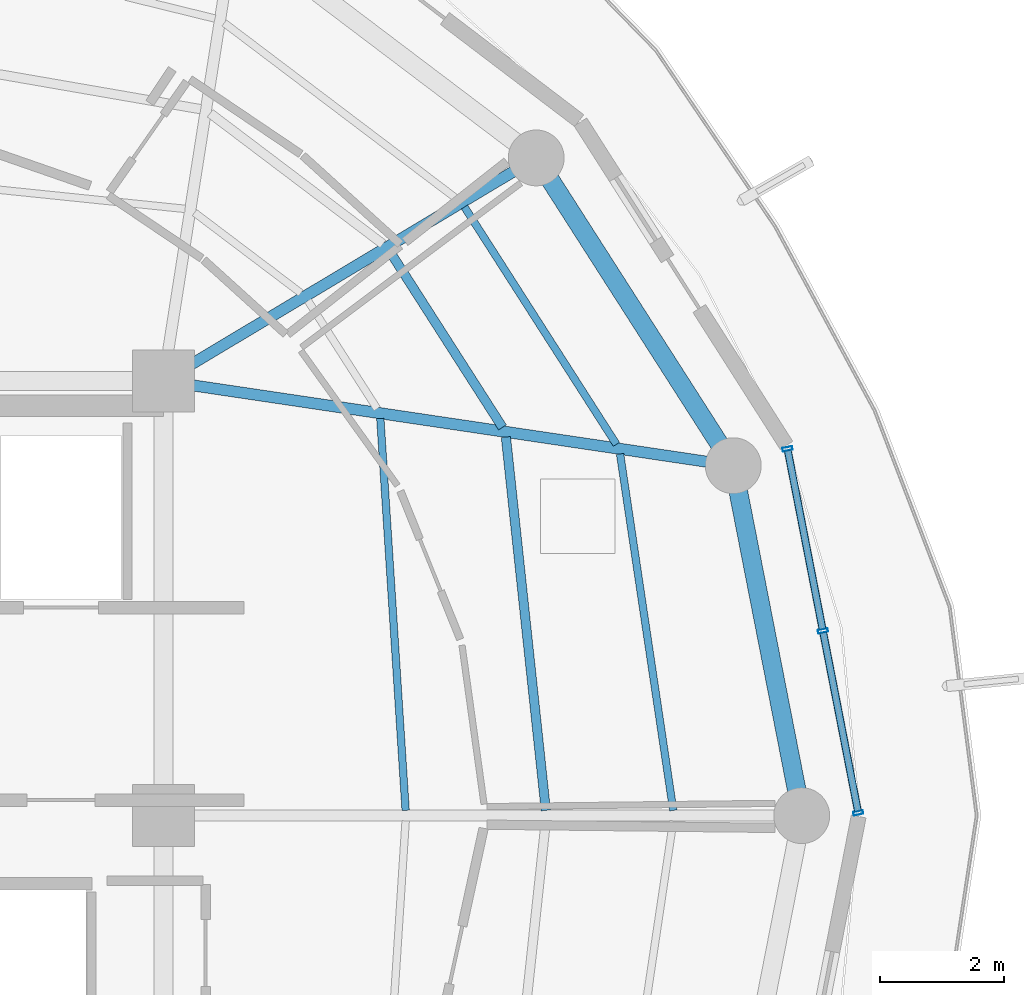
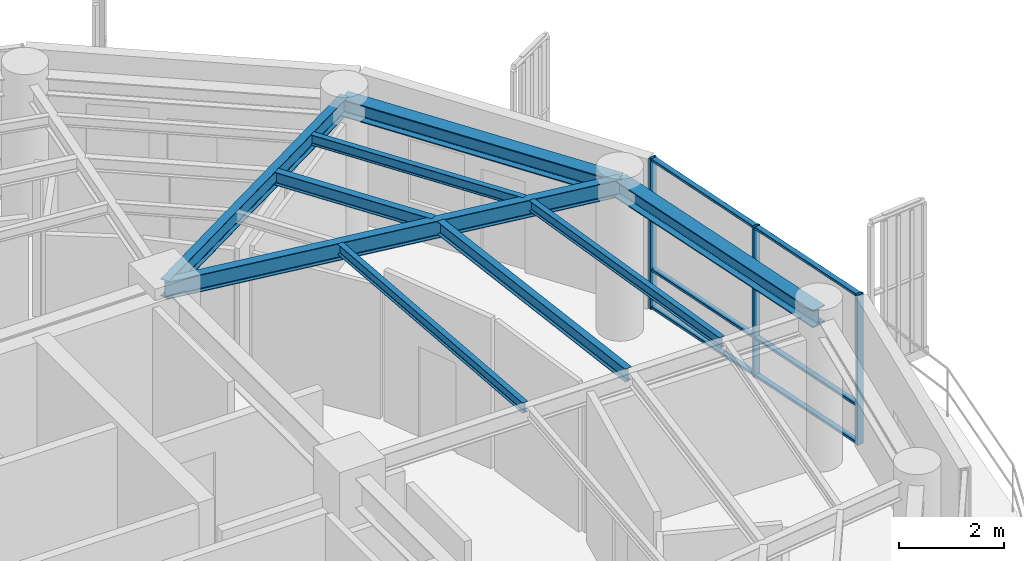
# One storey, part 10 of 22: 9 beams, 9 members, 1 element without a shape of its own.
"""IFC4 building model written with IfcOpenShell, lengths in metres."""

from ifc_helpers import new_model, si_unit, direction, frame, origin, origin_2d, place, context, subcontext, project, spatial, hollow_rectangle, i_section, extrude, material, layer, layer_set, material_profile, profile_set, type_object, element, aggregate, save


model = new_model("IFC4")

# Units and contexts
model_context = context("Model", 3, precision=1e-05, world=origin(), true_north=direction((0.0, 1.0)))
body_context = subcontext(model_context, "Body", "Model", "MODEL_VIEW")
ifc_project = project(units=[si_unit("LENGTHUNIT", "METRE"), si_unit("AREAUNIT", "SQUARE_METRE"), si_unit("VOLUMEUNIT", "CUBIC_METRE"), si_unit("PLANEANGLEUNIT", "RADIAN"), si_unit("MASSUNIT", "GRAM", prefix="KILO")], contexts=[model_context])

# Site, building, storey
site_placement = place(None, origin())
site = spatial("IfcSite", under=ifc_project, at=site_placement, CompositionType="ELEMENT")
building_placement = place(site_placement, origin())
building = spatial("IfcBuilding", under=site, at=building_placement, Name="Kelanora Arch Commons", CompositionType="ELEMENT")
storey_placement = place(building_placement, frame((0.0, 0.0, 274.949951171875)))
storey = spatial("IfcBuildingStorey", under=building, at=storey_placement, Name="L70", CompositionType="ELEMENT", Elevation=274.949951171875)

# Beams
ifc_material_1 = material(Name="Steel S355", Category="steel")
ifc_material_profile_1 = material_profile(ifc_material_1, i_section(OverallWidth=0.14990234375, OverallDepth=0.300048828125, WebThickness=0.007080078125, FlangeThickness=0.0107421875, FilletRadius=0.014892578125, at=origin_2d()), Name="IPE300")
ifc_profile_set_1 = profile_set([ifc_material_profile_1], Name="Steel S355")
beam_type_1 = type_object("IfcBeamType", Name="BM-JST-01", PredefinedType="JOIST", material=ifc_profile_set_1)
beam_1_placement = place(storey_placement, frame((88.158935546875, 58.08447265625, 3.340087890625), z_axis=(-0.106380594087, 0.994325484538, 0.0), x_axis=(-0.994325484538, -0.106380594087, 0.0)))
element("IfcBeam", 1, at=beam_1_placement, inside=storey, type_object=beam_type_1, Name="Secondary Chord Joist BJB-00 L70", PredefinedType="JOIST", context=body_context, shape_type="SweptSolid", body=[
    extrude(i_section(OverallWidth=0.14990234375, OverallDepth=0.300048828125, WebThickness=0.007080078125, FlangeThickness=0.0107421875, FilletRadius=0.014892578125, at=origin_2d()), origin(), (0.0, 0.0, 1.0), 6.04736328125),
])
beam_2_placement = place(storey_placement, frame((87.460693359375, 64.25341796875, 3.340087890625), z_axis=(-0.539321586177, 0.842099891155, 0.0), x_axis=(-0.842099891155, -0.539321586177, 0.0)))
element("IfcBeam", 2, at=beam_2_placement, inside=storey, type_object=beam_type_1, Name="Secondary Chord Joist BJB-02 L70", PredefinedType="JOIST", context=body_context, shape_type="SweptSolid", body=[
    extrude(i_section(OverallWidth=0.14990234375, OverallDepth=0.300048828125, WebThickness=0.007080078125, FlangeThickness=0.0107421875, FilletRadius=0.014892578125, at=origin_2d()), origin(), (0.0, 0.0, 1.0), 3.361572265625),
])
ifc_material_profile_2 = material_profile(ifc_material_1, i_section(OverallWidth=0.1201171875, OverallDepth=0.239990234375, WebThickness=0.006103515625, FlangeThickness=0.009765625, FilletRadius=0.014892578125, at=origin_2d()), Name="IPE240")
ifc_profile_set_2 = profile_set([ifc_material_profile_2], Name="Steel S355")
beam_type_2 = type_object("IfcBeamType", Name="BM-JST-02", PredefinedType="JOIST", material=ifc_profile_set_2)
beam_3_placement = place(storey_placement, frame((85.90087890625, 58.084716796875, 3.3701171875), z_axis=(-0.064495107978, 0.99791802321, 0.0), x_axis=(-0.99791802321, -0.064495107978, 0.0)))
element("IfcBeam", 3, at=beam_3_placement, inside=storey, type_object=beam_type_2, Name="Secondary Chord Joist BJA-00 L70", PredefinedType="JOIST", context=body_context, shape_type="SweptSolid", body=[
    extrude(i_section(OverallWidth=0.1201171875, OverallDepth=0.239990234375, WebThickness=0.006103515625, FlangeThickness=0.009765625, FilletRadius=0.014892578125, at=origin_2d()), origin(), (0.0, 0.0, 1.0), 6.325439453125),
])
beam_4_placement = place(storey_placement, frame((90.21142578125, 58.083984375, 3.3701171875), z_axis=(-0.14762470282, 0.989043450571, 0.0), x_axis=(-0.989043450571, -0.14762470282, 0.0)))
element("IfcBeam", 4, at=beam_4_placement, inside=storey, type_object=beam_type_2, Name="Secondary Chord Joist BJC-00 L70", PredefinedType="JOIST", context=body_context, shape_type="SweptSolid", body=[
    extrude(i_section(OverallWidth=0.1201171875, OverallDepth=0.239990234375, WebThickness=0.006103515625, FlangeThickness=0.009765625, FilletRadius=0.014892578125, at=origin_2d()), origin(), (0.0, 0.0, 1.0), 5.804931640625),
])
beam_5_placement = place(storey_placement, frame((89.296142578125, 63.980712890625, 3.3701171875), z_axis=(-0.539288735289, 0.842120929552, 0.0), x_axis=(-0.842120929552, -0.539288735289, 0.0)))
element("IfcBeam", 5, at=beam_5_placement, inside=storey, type_object=beam_type_2, Name="Secondary Chord Joist BJC-02 L70", PredefinedType="JOIST", context=body_context, shape_type="SweptSolid", body=[
    extrude(i_section(OverallWidth=0.1201171875, OverallDepth=0.239990234375, WebThickness=0.006103515625, FlangeThickness=0.009765625, FilletRadius=0.014892578125, at=origin_2d()), origin(), (0.0, 0.0, 1.0), 4.538818359375),
])
ifc_material_profile_3 = material_profile(ifc_material_1, i_section(OverallWidth=0.179931640625, OverallDepth=0.39990234375, WebThickness=0.008544921875, FlangeThickness=0.013427734375, FilletRadius=0.02099609375, at=origin_2d()), Name="IPE400")
ifc_profile_set_3 = profile_set([ifc_material_profile_3], Name="Steel S355")
beam_type_3 = type_object("IfcBeamType", Name="BM-RAD-Z5", PredefinedType="BEAM", material=ifc_profile_set_3)
beam_6_placement = place(storey_placement, frame((82.0, 65.0, 3.2900390625), z_axis=(0.989142485564, -0.146959665395, 0.0), x_axis=(0.146959665395, 0.989142485564, 0.0)))
element("IfcBeam", 6, at=beam_6_placement, inside=storey, type_object=beam_type_3, Name="Radial Floor Girder BR-02 L70", PredefinedType="BEAM", context=body_context, shape_type="SweptSolid", body=[
    extrude(i_section(OverallWidth=0.179931640625, OverallDepth=0.39990234375, WebThickness=0.008544921875, FlangeThickness=0.013427734375, FilletRadius=0.02099609375, at=origin_2d()), origin(), (0.0, 0.0, 1.0), 9.2783203125),
])
beam_7_placement = place(storey_placement, frame((82.0, 65.0, 3.2900390625), z_axis=(0.858062005744, 0.513546097541, 0.0), x_axis=(-0.513546097541, 0.858062005744, 0.0)))
element("IfcBeam", 7, at=beam_7_placement, inside=storey, type_object=beam_type_3, Name="Radial Floor Girder BR-04 L70", PredefinedType="BEAM", context=body_context, shape_type="SweptSolid", body=[
    extrude(i_section(OverallWidth=0.179931640625, OverallDepth=0.39990234375, WebThickness=0.008544921875, FlangeThickness=0.013427734375, FilletRadius=0.02099609375, at=origin_2d()), origin(), (0.0, 0.0, 1.0), 6.99658203125),
])
ifc_material_profile_4 = material_profile(ifc_material_1, i_section(OverallWidth=0.300048828125, OverallDepth=0.39990234375, WebThickness=0.013427734375, FlangeThickness=0.02392578125, FilletRadius=0.027099609375, at=origin_2d()), Name="HEB400")
ifc_profile_set_4 = profile_set([ifc_material_profile_4], Name="Steel S355")
beam_type_4 = type_object("IfcBeamType", Name="BM-SPN-Z4", PredefinedType="SPANDREL", material=ifc_profile_set_4)
beam_8_placement = place(storey_placement, frame((92.280029296875, 58.0, 3.2900390625), z_axis=(-0.191969774604, 0.981400838413, 0.0), x_axis=(-0.981400838413, -0.191969774604, 0.0)))
element("IfcBeam", 8, at=beam_8_placement, inside=storey, type_object=beam_type_4, Name="Perimeter Spandrel Beam BS-00 L70", PredefinedType="SPANDREL", context=body_context, shape_type="SweptSolid", body=[
    extrude(i_section(OverallWidth=0.300048828125, OverallDepth=0.39990234375, WebThickness=0.013427734375, FlangeThickness=0.02392578125, FilletRadius=0.027099609375, at=origin_2d()), origin(), (0.0, 0.0, 1.0), 5.743408203125),
])
beam_9_placement = place(storey_placement, frame((91.177490234375, 63.636474609375, 3.2900390625), z_axis=(-0.539280851353, 0.842125978322, 0.0), x_axis=(-0.842125978322, -0.539280851353, 0.0)))
element("IfcBeam", 9, at=beam_9_placement, inside=storey, type_object=beam_type_4, Name="Perimeter Spandrel Beam BS-02 L70", PredefinedType="SPANDREL", context=body_context, shape_type="SweptSolid", body=[
    extrude(i_section(OverallWidth=0.300048828125, OverallDepth=0.39990234375, WebThickness=0.013427734375, FlangeThickness=0.02392578125, FilletRadius=0.027099609375, at=origin_2d()), origin(), (0.0, 0.0, 1.0), 5.8857421875),
])

# Curtain wall, members
ifc_material_2 = material(Name="Terracotta ceramic-fritted low-E glass and aluminium", Category="masonry")
ifc_layer = layer(ifc_material_2, 0.18994140625)
ifc_layer_set = layer_set([ifc_layer], Name="Terracotta ceramic-fritted low-E glass and aluminium")
curtain_wall_type = type_object("IfcCurtainWallType", Name="CW-SYS-03", PredefinedType="NOTDEFINED", material=ifc_layer_set)
curtain_wall_placement = place(storey_placement, origin())
curtain_wall = element("IfcCurtainWall", 10, at=curtain_wall_placement, inside=storey, type_object=curtain_wall_type, Name="Unitised Curtain Wall L70-B00", PredefinedType="NOTDEFINED")
ifc_material_3 = material(Name="Powder-coated aluminium terracotta", Category="masonry")
ifc_material_profile_5 = material_profile(ifc_material_3, hollow_rectangle(XDim=0.159912109375, YDim=0.06005859375, WallThickness=0.0048828125, InnerFilletRadius=0.0048828125, OuterFilletRadius=0.010009765625, at=origin_2d()), Name="CWM160x60")
ifc_profile_set_5 = profile_set([ifc_material_profile_5], Name="Powder-coated aluminium terracotta")
member_type_1 = type_object("IfcMemberType", Name="CWM-STD", PredefinedType="MULLION", material=ifc_profile_set_5)
member_1_placement = place(storey_placement, frame((93.19140625, 58.044189453125, 0.0), z_axis=(0.0, 0.0, 1.0), x_axis=(-0.981595542501, -0.190971701941, 0.0)))
member_1 = element("IfcMember", 11, at=member_1_placement, type_object=member_type_1, Name="CW-03 mullion 1", PredefinedType="MULLION", context=body_context, shape_type="SweptSolid", body=[
    extrude(hollow_rectangle(XDim=0.159912109375, YDim=0.06005859375, WallThickness=0.0048828125, InnerFilletRadius=0.0048828125, OuterFilletRadius=0.010009765625, at=origin_2d()), origin(), (0.0, 0.0, 1.0), 3.47509765625),
])
member_2_placement = place(storey_placement, frame((92.62109375, 60.9755859375, 0.0), z_axis=(0.0, 0.0, 1.0), x_axis=(-0.981595542501, -0.190971701941, 0.0)))
member_2 = element("IfcMember", 12, at=member_2_placement, type_object=member_type_1, Name="CW-03 mullion 2", PredefinedType="MULLION", context=body_context, shape_type="SweptSolid", body=[
    extrude(hollow_rectangle(XDim=0.159912109375, YDim=0.06005859375, WallThickness=0.0048828125, InnerFilletRadius=0.0048828125, OuterFilletRadius=0.010009765625, at=origin_2d()), origin(), (0.0, 0.0, 1.0), 3.47509765625),
])
member_3_placement = place(storey_placement, frame((92.05078125, 63.906982421875, 0.0), z_axis=(0.0, 0.0, 1.0), x_axis=(-0.981595542501, -0.190971701941, 0.0)))
member_3 = element("IfcMember", 13, at=member_3_placement, type_object=member_type_1, Name="CW-03 mullion 3", PredefinedType="MULLION", context=body_context, shape_type="SweptSolid", body=[
    extrude(hollow_rectangle(XDim=0.159912109375, YDim=0.06005859375, WallThickness=0.0048828125, InnerFilletRadius=0.0048828125, OuterFilletRadius=0.010009765625, at=origin_2d()), origin(), (0.0, 0.0, 1.0), 3.47509765625),
])
ifc_material_profile_6 = material_profile(ifc_material_3, hollow_rectangle(XDim=0.1201171875, YDim=0.06005859375, WallThickness=0.0048828125, InnerFilletRadius=0.0048828125, OuterFilletRadius=0.010009765625, at=origin_2d()), Name="CWT120x60")
ifc_profile_set_6 = profile_set([ifc_material_profile_6], Name="Powder-coated aluminium terracotta")
member_type_2 = type_object("IfcMemberType", Name="CWT-STD", PredefinedType="USERDEFINED", material=ifc_profile_set_6)
member_4_placement = place(storey_placement, frame((93.185546875, 58.073486328125, 0.030029296875), z_axis=(-0.190963443354, 0.981597149192, 0.0), x_axis=(-0.981597149192, -0.190963443354, 0.0)))
member_4 = element("IfcMember", 14, at=member_4_placement, type_object=member_type_2, Name="CW-03 transom 1.1", ObjectType="TRANSOM", PredefinedType="USERDEFINED", context=body_context, shape_type="SweptSolid", body=[
    extrude(hollow_rectangle(XDim=0.1201171875, YDim=0.06005859375, WallThickness=0.0048828125, InnerFilletRadius=0.0048828125, OuterFilletRadius=0.010009765625, at=origin_2d()), origin(), (0.0, 0.0, 1.0), 2.926513671875),
])
member_5_placement = place(storey_placement, frame((93.185546875, 58.073486328125, 0.900146484375), z_axis=(-0.190963443354, 0.981597149192, 0.0), x_axis=(-0.981597149192, -0.190963443354, 0.0)))
member_5 = element("IfcMember", 15, at=member_5_placement, type_object=member_type_2, Name="CW-03 transom 1.2", ObjectType="TRANSOM", PredefinedType="USERDEFINED", context=body_context, shape_type="SweptSolid", body=[
    extrude(hollow_rectangle(XDim=0.1201171875, YDim=0.06005859375, WallThickness=0.0048828125, InnerFilletRadius=0.0048828125, OuterFilletRadius=0.010009765625, at=origin_2d()), origin(), (0.0, 0.0, 1.0), 2.926513671875),
])
member_6_placement = place(storey_placement, frame((93.185546875, 58.073486328125, 3.445068359375), z_axis=(-0.190963443354, 0.981597149192, 0.0), x_axis=(-0.981597149192, -0.190963443354, 0.0)))
member_6 = element("IfcMember", 16, at=member_6_placement, type_object=member_type_2, Name="CW-03 transom 1.3", ObjectType="TRANSOM", PredefinedType="USERDEFINED", context=body_context, shape_type="SweptSolid", body=[
    extrude(hollow_rectangle(XDim=0.1201171875, YDim=0.06005859375, WallThickness=0.0048828125, InnerFilletRadius=0.0048828125, OuterFilletRadius=0.010009765625, at=origin_2d()), origin(), (0.0, 0.0, 1.0), 2.926513671875),
])
member_7_placement = place(storey_placement, frame((92.615234375, 61.005126953125, 0.030029296875), z_axis=(-0.190963443354, 0.981597149192, 0.0), x_axis=(-0.981597149192, -0.190963443354, 0.0)))
member_7 = element("IfcMember", 17, at=member_7_placement, type_object=member_type_2, Name="CW-03 transom 2.1", ObjectType="TRANSOM", PredefinedType="USERDEFINED", context=body_context, shape_type="SweptSolid", body=[
    extrude(hollow_rectangle(XDim=0.1201171875, YDim=0.06005859375, WallThickness=0.0048828125, InnerFilletRadius=0.0048828125, OuterFilletRadius=0.010009765625, at=origin_2d()), origin(), (0.0, 0.0, 1.0), 2.926513671875),
])
member_8_placement = place(storey_placement, frame((92.615234375, 61.005126953125, 0.900146484375), z_axis=(-0.190963443354, 0.981597149192, 0.0), x_axis=(-0.981597149192, -0.190963443354, 0.0)))
member_8 = element("IfcMember", 18, at=member_8_placement, type_object=member_type_2, Name="CW-03 transom 2.2", ObjectType="TRANSOM", PredefinedType="USERDEFINED", context=body_context, shape_type="SweptSolid", body=[
    extrude(hollow_rectangle(XDim=0.1201171875, YDim=0.06005859375, WallThickness=0.0048828125, InnerFilletRadius=0.0048828125, OuterFilletRadius=0.010009765625, at=origin_2d()), origin(), (0.0, 0.0, 1.0), 2.926513671875),
])
member_9_placement = place(storey_placement, frame((92.615234375, 61.005126953125, 3.445068359375), z_axis=(-0.190963443354, 0.981597149192, 0.0), x_axis=(-0.981597149192, -0.190963443354, 0.0)))
member_9 = element("IfcMember", 19, at=member_9_placement, type_object=member_type_2, Name="CW-03 transom 2.3", ObjectType="TRANSOM", PredefinedType="USERDEFINED", context=body_context, shape_type="SweptSolid", body=[
    extrude(hollow_rectangle(XDim=0.1201171875, YDim=0.06005859375, WallThickness=0.0048828125, InnerFilletRadius=0.0048828125, OuterFilletRadius=0.010009765625, at=origin_2d()), origin(), (0.0, 0.0, 1.0), 2.926513671875),
])
aggregate(curtain_wall, [member_1, member_2, member_3, member_4, member_5, member_6, member_7, member_8, member_9])

save(model, "model.ifc")
